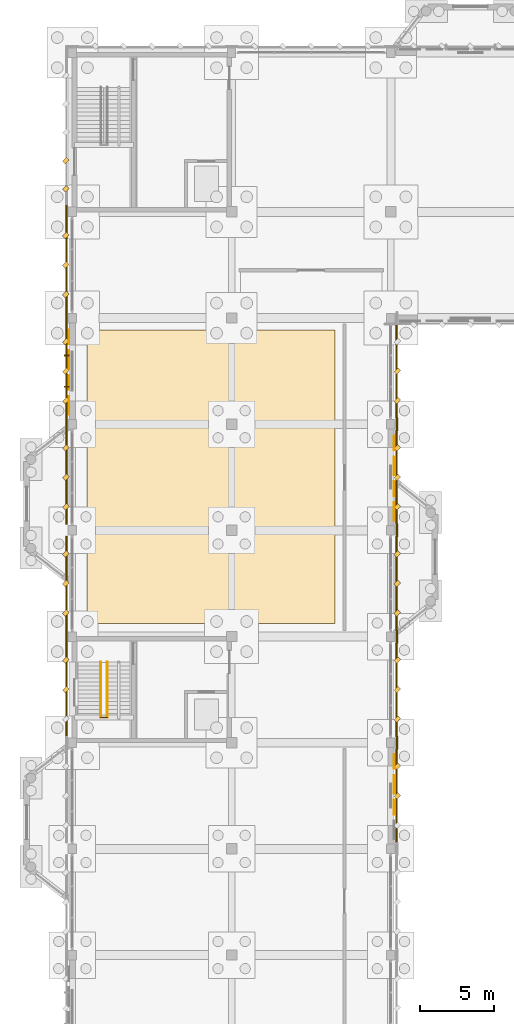
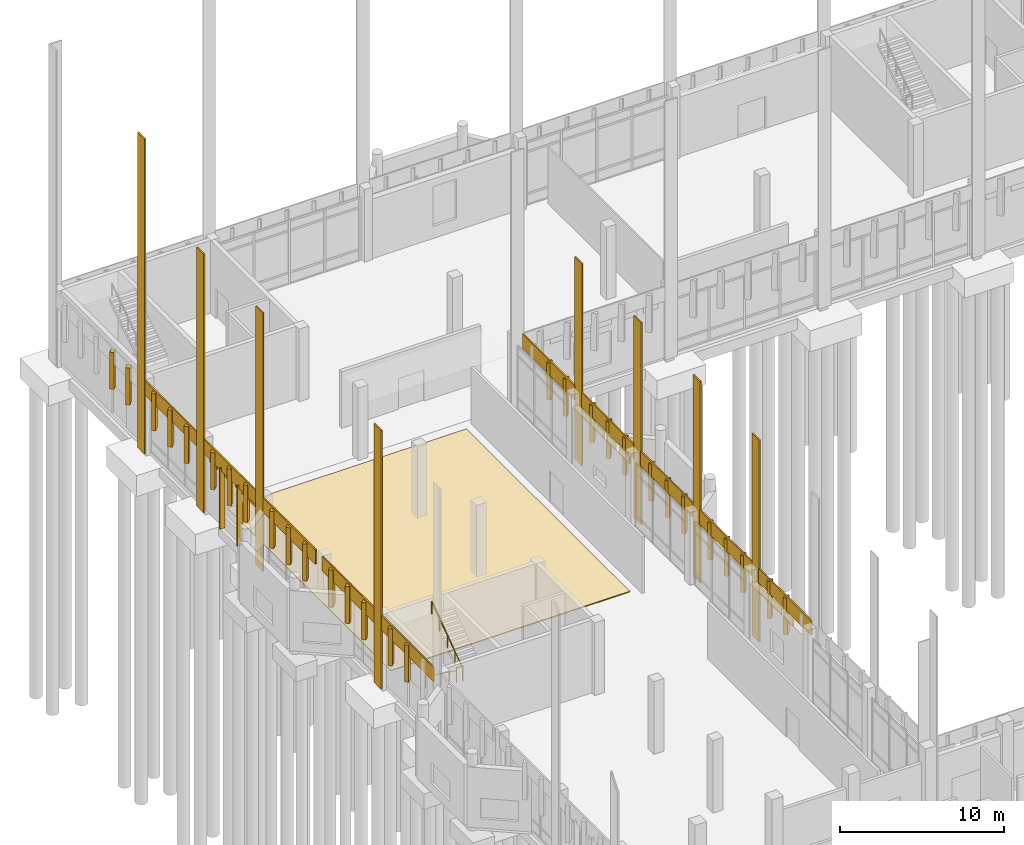
# One storey, part 100 of 109: 61 coverings, 3 railings.
"""IFC4 building model written with IfcOpenShell, lengths in metres."""

from ifc_helpers import new_model, si_unit, direction, frame, origin, origin_2d, place, context, subcontext, project, spatial, polyline, rectangle, circle, outline, extrude, material, layer, layer_set, type_object, element, save


model = new_model("IFC4")

# Units and contexts
model_context = context("Model", 3, precision=1e-05, world=origin(), true_north=direction((0.0, 1.0)))
body_context = subcontext(model_context, "Body", "Model", "MODEL_VIEW")
ifc_project = project(units=[si_unit("LENGTHUNIT", "METRE"), si_unit("AREAUNIT", "SQUARE_METRE"), si_unit("VOLUMEUNIT", "CUBIC_METRE"), si_unit("PLANEANGLEUNIT", "RADIAN"), si_unit("MASSUNIT", "GRAM", prefix="KILO")], contexts=[model_context])

# Site, building, storey
site_placement = place(None, origin())
site = spatial("IfcSite", under=ifc_project, at=site_placement, CompositionType="ELEMENT")
building_placement = place(site_placement, origin())
building = spatial("IfcBuilding", under=site, at=building_placement, Name="Lusvemor Sports Hall", CompositionType="ELEMENT")
storey_placement = place(building_placement, origin())
storey = spatial("IfcBuildingStorey", under=building, at=storey_placement, Name="L00", CompositionType="ELEMENT", Elevation=0.0)

# Coverings
ifc_material_1 = material(Name="Precast granite-faced Concrete C40/50 architectural cladding", Category="masonry")
ifc_layer_1 = layer(ifc_material_1, 0.055908203125)
ifc_layer_set_1 = layer_set([ifc_layer_1], Name="Precast granite-faced Concrete C40/50 architectural cladding")
covering_type_1 = type_object("IfcCoveringType", Name="CLAD_RELIEF_FRIEZE", PredefinedType="CLADDING", material=ifc_layer_set_1)
for number, where, z_axis, x_axis, name in (
    (1, (-0.409912109375, 75.60009765625, 0.0), (0.0, 0.0, 1.0), (1.0, 0.0, 0.0), "Art Nouveau Pilaster Cladding Casing 982"),
    (2, (-0.409912109375, 90.0, 0.0), (0.0, 0.0, 1.0), (1.0, 0.0, 0.0), "Art Nouveau Pilaster Cladding Casing 983"),
    (3, (-0.409912109375, 97.199951171875, 0.0), (0.0, 0.0, 1.0), (1.0, 0.0, 0.0), "Art Nouveau Pilaster Cladding Casing 984"),
):
    element("IfcCovering", number, at=place(storey_placement, frame(where, z_axis=z_axis, x_axis=x_axis)), inside=storey, type_object=covering_type_1, Name=name, PredefinedType="CLADDING", context=body_context, shape_type="SweptSolid", body=[
        extrude(rectangle(XDim=0.10009765625, YDim=0.8798828125, at=origin_2d()), origin(), (0.0, 0.0, 1.0), 19.199951171875),
    ])
covering_1_placement = place(storey_placement, frame((-0.409912109375, 104.39990234375, 0.0), z_axis=(0.0, 0.0, 1.0), x_axis=(1.0, 0.0, 0.0)))
element("IfcCovering", 4, at=covering_1_placement, inside=storey, type_object=covering_type_1, Name="Art Nouveau Pilaster Cladding Casing 1098", PredefinedType="CLADDING", context=body_context, shape_type="SweptSolid", body=[
    extrude(rectangle(XDim=0.10009765625, YDim=0.8798828125, at=origin_2d()), origin(), (0.0, 0.0, 1.0), 23.39990234375),
])
for number, where, z_axis, x_axis, name in (
    (5, (22.010009765625, 68.39990234375, 0.0), (0.0, 0.0, 1.0), (1.0, 0.0, 0.0), "Art Nouveau Pilaster Cladding Casing 1382"),
    (6, (22.010009765625, 75.60009765625, 0.0), (0.0, 0.0, 1.0), (1.0, 0.0, 0.0), "Art Nouveau Pilaster Cladding Casing 1383"),
    (7, (22.010009765625, 82.800048828125, 0.0), (0.0, 0.0, 1.0), (1.0, 0.0, 0.0), "Art Nouveau Pilaster Cladding Casing 1384"),
    (8, (22.010009765625, 90.0, 0.0), (0.0, 0.0, 1.0), (1.0, 0.0, 0.0), "Art Nouveau Pilaster Cladding Casing 1385"),
):
    element("IfcCovering", number, at=place(storey_placement, frame(where, z_axis=z_axis, x_axis=x_axis)), inside=storey, type_object=covering_type_1, Name=name, PredefinedType="CLADDING", context=body_context, shape_type="SweptSolid", body=[
        extrude(rectangle(XDim=0.10009765625, YDim=0.8798828125, at=origin_2d()), origin(), (0.0, 0.0, 1.0), 15.0),
    ])
ifc_material_2 = material(Name="Emerald polychrome glazed ceramic cladding on Concrete C40/50 backing", Category="concrete")
ifc_layer_2 = layer(ifc_material_2, 0.0458984375)
ifc_layer_set_2 = layer_set([ifc_layer_2], Name="Emerald polychrome glazed ceramic cladding on Concrete C40/50 backing")
covering_type_2 = type_object("IfcCoveringType", Name="CLAD_WAVE_EMERALD", PredefinedType="CLADDING", material=ifc_layer_set_2)
for number, where, z_axis, x_axis, name in (
    (9, (-0.218017578125, 91.27490234375, 3.9248046875), (0.0, 0.0, 1.0), (1.0, 0.0, 0.0), "Art Nouveau Patterned Cladding PS-EW-L00-W-0-6-1"),
    (10, (-0.218017578125, 94.375, 3.9248046875), (0.0, 0.0, 1.0), (1.0, 0.0, 0.0), "Art Nouveau Patterned Cladding PS-EW-L00-W-0-6-3"),
    (11, (21.818115234375, 65.574951171875, 3.9248046875), (0.0, 0.0, 1.0), (1.0, 0.0, 0.0), "Art Nouveau Patterned Cladding PS-EW-L00-E-4-2-3"),
    (12, (21.818115234375, 84.074951171875, 3.9248046875), (0.0, 0.0, 1.0), (1.0, 0.0, 0.0), "Art Nouveau Patterned Cladding PS-EW-L00-E-4-5-1"),
    (13, (21.818115234375, 87.175048828125, 3.9248046875), (0.0, 0.0, 1.0), (1.0, 0.0, 0.0), "Art Nouveau Patterned Cladding PS-EW-L00-E-4-5-3"),
):
    element("IfcCovering", number, at=place(storey_placement, frame(where, z_axis=z_axis, x_axis=x_axis)), inside=storey, type_object=covering_type_2, Name=name, PredefinedType="CLADDING", context=body_context, shape_type="SweptSolid", body=[
        extrude(rectangle(XDim=0.0458984375, YDim=1.27099609375, at=origin_2d()), origin(), (0.0, 0.0, 1.0), 0.510009765625),
    ])
for number, where, z_axis, x_axis, name in (
    (14, (-0.43994140625, 72.0, 2.550048828125), (0.0, 0.0, 1.0), (0.707106781187, 0.707106781187, 0.0), "Patterned Diamond Cladding Rib 1035"),
    (15, (-0.43994140625, 79.199951171875, 2.550048828125), (0.0, 0.0, 1.0), (0.707106781187, 0.707106781187, 0.0), "Patterned Diamond Cladding Rib 1051"),
    (16, (-0.43994140625, 86.39990234375, 2.550048828125), (0.0, 0.0, 1.0), (0.707106781187, 0.707106781187, 0.0), "Patterned Diamond Cladding Rib 1067"),
    (17, (-0.43994140625, 93.60009765625, 2.550048828125), (0.0, 0.0, 1.0), (0.707106781187, 0.707106781187, 0.0), "Patterned Diamond Cladding Rib 1083"),
    (18, (-0.43994140625, 100.800048828125, 2.550048828125), (0.0, 0.0, 1.0), (0.707106781187, 0.707106781187, 0.0), "Patterned Diamond Cladding Rib 1102"),
    (19, (-0.43994140625, 107.8798828125, 2.550048828125), (0.0, 0.0, 1.0), (0.707106781187, 0.707106781187, 0.0), "Patterned Diamond Cladding Rib 1122"),
    (20, (22.0400390625, 64.800048828125, 2.550048828125), (0.0, 0.0, 1.0), (0.707106781187, 0.707106781187, 0.0), "Patterned Diamond Cladding Rib 1413"),
    (21, (22.0400390625, 72.0, 2.550048828125), (0.0, 0.0, 1.0), (0.707106781187, 0.707106781187, 0.0), "Patterned Diamond Cladding Rib 1425"),
    (22, (22.0400390625, 79.199951171875, 2.550048828125), (0.0, 0.0, 1.0), (0.707106781187, 0.707106781187, 0.0), "Patterned Diamond Cladding Rib 1437"),
    (23, (22.0400390625, 86.39990234375, 2.550048828125), (0.0, 0.0, 1.0), (0.707106781187, 0.707106781187, 0.0), "Patterned Diamond Cladding Rib 1449"),
    (24, (22.0400390625, 93.60009765625, 2.550048828125), (0.0, 0.0, 1.0), (0.707106781187, 0.707106781187, 0.0), "Patterned Diamond Cladding Rib 1461"),
):
    element("IfcCovering", number, at=place(storey_placement, frame(where, z_axis=z_axis, x_axis=x_axis)), inside=storey, type_object=covering_type_2, Name=name, PredefinedType="CLADDING", context=body_context, shape_type="SweptSolid", body=[
        extrude(rectangle(XDim=0.3798828125, YDim=0.280029296875, at=origin_2d()), origin(), (0.0, 0.0, 1.0), 2.75),
    ])
ifc_material_3 = material(Name="Warm terracotta Art Nouveau ceramic cladding on Concrete C40/50 backing", Category="masonry")
ifc_layer_3 = layer(ifc_material_3, 0.0380859375)
ifc_layer_set_3 = layer_set([ifc_layer_3], Name="Warm terracotta Art Nouveau ceramic cladding on Concrete C40/50 backing")
covering_type_3 = type_object("IfcCoveringType", Name="CLAD_WAVE_OCHRE", PredefinedType="CLADDING", material=ifc_layer_set_3)
for number, where, z_axis, x_axis, name in (
    (25, (-0.214111328125, 92.824951171875, 3.9248046875), (0.0, 0.0, 1.0), (1.0, 0.0, 0.0), "Art Nouveau Patterned Cladding PS-EW-L00-W-0-6-2"),
    (26, (-0.214111328125, 95.925048828125, 3.9248046875), (0.0, 0.0, 1.0), (1.0, 0.0, 0.0), "Art Nouveau Patterned Cladding PS-EW-L00-W-0-6-4"),
    (27, (21.81396484375, 64.02490234375, 3.9248046875), (0.0, 0.0, 1.0), (1.0, 0.0, 0.0), "Art Nouveau Patterned Cladding PS-EW-L00-E-4-2-2"),
    (28, (21.81396484375, 67.125, 3.9248046875), (0.0, 0.0, 1.0), (1.0, 0.0, 0.0), "Art Nouveau Patterned Cladding PS-EW-L00-E-4-2-4"),
    (29, (21.81396484375, 85.625, 3.9248046875), (0.0, 0.0, 1.0), (1.0, 0.0, 0.0), "Art Nouveau Patterned Cladding PS-EW-L00-E-4-5-2"),
    (30, (21.81396484375, 88.72509765625, 3.9248046875), (0.0, 0.0, 1.0), (1.0, 0.0, 0.0), "Art Nouveau Patterned Cladding PS-EW-L00-E-4-5-4"),
):
    element("IfcCovering", number, at=place(storey_placement, frame(where, z_axis=z_axis, x_axis=x_axis)), inside=storey, type_object=covering_type_3, Name=name, PredefinedType="CLADDING", context=body_context, shape_type="SweptSolid", body=[
        extrude(rectangle(XDim=0.0380859375, YDim=0.991943359375, at=origin_2d()), origin(), (0.0, 0.0, 1.0), 0.510009765625),
    ])
for number, where, z_axis, x_axis, name in (
    (31, (-0.389892578125, 72.0, 4.3798828125), (0.0, 0.0, 1.0), (1.0, 0.0, 0.0), "Art Nouveau Spandrel Cornice 1033"),
    (32, (-0.389892578125, 79.199951171875, 4.3798828125), (0.0, 0.0, 1.0), (1.0, 0.0, 0.0), "Art Nouveau Spandrel Cornice 1049"),
    (33, (-0.389892578125, 86.39990234375, 4.3798828125), (0.0, 0.0, 1.0), (1.0, 0.0, 0.0), "Art Nouveau Spandrel Cornice 1065"),
    (34, (-0.389892578125, 93.60009765625, 4.3798828125), (0.0, 0.0, 1.0), (1.0, 0.0, 0.0), "Art Nouveau Spandrel Cornice 1081"),
    (35, (-0.389892578125, 100.800048828125, 4.3798828125), (0.0, 0.0, 1.0), (1.0, 0.0, 0.0), "Art Nouveau Spandrel Cornice 1100"),
    (36, (21.989990234375, 64.800048828125, 4.3798828125), (0.0, 0.0, 1.0), (1.0, 0.0, 0.0), "Art Nouveau Spandrel Cornice 1411"),
    (37, (21.989990234375, 72.0, 4.3798828125), (0.0, 0.0, 1.0), (1.0, 0.0, 0.0), "Art Nouveau Spandrel Cornice 1423"),
    (38, (21.989990234375, 79.199951171875, 4.3798828125), (0.0, 0.0, 1.0), (1.0, 0.0, 0.0), "Art Nouveau Spandrel Cornice 1435"),
    (39, (21.989990234375, 86.39990234375, 4.3798828125), (0.0, 0.0, 1.0), (1.0, 0.0, 0.0), "Art Nouveau Spandrel Cornice 1447"),
    (40, (21.989990234375, 93.60009765625, 4.3798828125), (0.0, 0.0, 1.0), (1.0, 0.0, 0.0), "Art Nouveau Spandrel Cornice 1459"),
):
    element("IfcCovering", number, at=place(storey_placement, frame(where, z_axis=z_axis, x_axis=x_axis)), inside=storey, type_object=covering_type_3, Name=name, PredefinedType="CLADDING", context=body_context, shape_type="SweptSolid", body=[
        extrude(rectangle(XDim=0.090087890625, YDim=6.3798828125, at=origin_2d()), origin(), (0.0, 0.0, 1.0), 1.080078125),
    ])
ifc_material_4 = material(Name="FIBA-grade sprung maple sports flooring")
ifc_layer_4 = layer(ifc_material_4, 0.06591796875)
ifc_layer_set_4 = layer_set([ifc_layer_4], Name="FIBA-grade sprung maple sports flooring")
covering_type_4 = type_object("IfcCoveringType", Name="COV_SPRUNG_MAPLE", PredefinedType="FLOORING", material=ifc_layer_set_4)
covering_2_placement = place(storey_placement, origin())
element("IfcCovering", 41, at=covering_2_placement, inside=storey, type_object=covering_type_4, Name="Sprung Maple Flooring COV-MAPLE-DANCE1", PredefinedType="FLOORING", context=body_context, shape_type="SweptSolid", body=[
    extrude(outline(polyline([(1.0, 76.5), (17.800048828125, 76.5), (17.800048828125, 96.39990234375), (1.0, 96.39990234375), (1.0, 76.5)])), origin(), (0.0, 0.0, 1.0), 0.06591796875),
])
ifc_material_5 = material(Name="Emerald polychrome glazed ceramic cladding on Concrete C40/50 backing", Category="concrete")
ifc_layer_5 = layer(ifc_material_5, 0.35009765625)
ifc_layer_set_5 = layer_set([ifc_layer_5], Name="Emerald polychrome glazed ceramic cladding on Concrete C40/50 backing")
covering_type_5 = type_object("IfcCoveringType", Name="FIN_BRISE_CER_350", PredefinedType="MOLDING", material=ifc_layer_set_5)
for number, where, z_axis, x_axis, name in (
    (42, (-0.3798828125, 92.5400390625, 0.10009765625), (0.0, 0.0, 1.0), (1.0, 0.0, 0.0), "Wing Brise-Soleil Fin L00-W-0-6-1"),
    (43, (-0.3798828125, 94.659912109375, 0.10009765625), (0.0, 0.0, 1.0), (1.0, 0.0, 0.0), "Wing Brise-Soleil Fin L00-W-0-6-2"),
):
    element("IfcCovering", number, at=place(storey_placement, frame(where, z_axis=z_axis, x_axis=x_axis)), inside=storey, type_object=covering_type_5, Name=name, PredefinedType="MOLDING", context=body_context, shape_type="SweptSolid", body=[
        extrude(rectangle(XDim=0.35009765625, YDim=0.080078125, at=origin_2d()), origin(), (0.0, 0.0, 1.0), 4.52001953125),
    ])
ifc_material_6 = material(Name="Warm terracotta Art Nouveau ceramic cladding on Concrete C40/50 backing", Category="masonry")
ifc_layer_6 = layer(ifc_material_6, 0.449951171875)
ifc_layer_set_6 = layer_set([ifc_layer_6], Name="Warm terracotta Art Nouveau ceramic cladding on Concrete C40/50 backing")
covering_type_6 = type_object("IfcCoveringType", Name="FIN_BRISE_CER_450", PredefinedType="MOLDING", material=ifc_layer_set_6)
for number, where, z_axis, x_axis, name in (
    (44, (-0.43994140625, 74.0, 2.550048828125), (0.0, 0.0, 1.0), (0.707106781187, 0.707106781187, 0.0), "Patterned Diamond Cladding Rib 1036"),
    (45, (-0.43994140625, 77.199951171875, 2.550048828125), (0.0, 0.0, 1.0), (0.707106781187, 0.707106781187, 0.0), "Patterned Diamond Cladding Rib 1050"),
    (46, (-0.43994140625, 81.199951171875, 2.550048828125), (0.0, 0.0, 1.0), (0.707106781187, 0.707106781187, 0.0), "Patterned Diamond Cladding Rib 1052"),
    (47, (-0.43994140625, 84.39990234375, 2.550048828125), (0.0, 0.0, 1.0), (0.707106781187, 0.707106781187, 0.0), "Patterned Diamond Cladding Rib 1066"),
    (48, (-0.43994140625, 88.39990234375, 2.550048828125), (0.0, 0.0, 1.0), (0.707106781187, 0.707106781187, 0.0), "Patterned Diamond Cladding Rib 1068"),
    (49, (-0.43994140625, 91.60009765625, 2.550048828125), (0.0, 0.0, 1.0), (0.707106781187, 0.707106781187, 0.0), "Patterned Diamond Cladding Rib 1082"),
    (50, (-0.43994140625, 95.60009765625, 2.550048828125), (0.0, 0.0, 1.0), (0.707106781187, 0.707106781187, 0.0), "Patterned Diamond Cladding Rib 1084"),
    (51, (-0.43994140625, 98.800048828125, 2.550048828125), (0.0, 0.0, 1.0), (0.707106781187, 0.707106781187, 0.0), "Patterned Diamond Cladding Rib 1101"),
    (52, (-0.43994140625, 102.800048828125, 2.550048828125), (0.0, 0.0, 1.0), (0.707106781187, 0.707106781187, 0.0), "Patterned Diamond Cladding Rib 1103"),
    (53, (-0.43994140625, 105.9599609375, 2.550048828125), (0.0, 0.0, 1.0), (0.707106781187, 0.707106781187, 0.0), "Patterned Diamond Cladding Rib 1121"),
    (54, (22.0400390625, 66.800048828125, 2.550048828125), (0.0, 0.0, 1.0), (0.707106781187, 0.707106781187, 0.0), "Patterned Diamond Cladding Rib 1414"),
    (55, (22.0400390625, 70.0, 2.550048828125), (0.0, 0.0, 1.0), (0.707106781187, 0.707106781187, 0.0), "Patterned Diamond Cladding Rib 1424"),
    (56, (22.0400390625, 74.0, 2.550048828125), (0.0, 0.0, 1.0), (0.707106781187, 0.707106781187, 0.0), "Patterned Diamond Cladding Rib 1426"),
    (57, (22.0400390625, 77.199951171875, 2.550048828125), (0.0, 0.0, 1.0), (0.707106781187, 0.707106781187, 0.0), "Patterned Diamond Cladding Rib 1436"),
    (58, (22.0400390625, 81.199951171875, 2.550048828125), (0.0, 0.0, 1.0), (0.707106781187, 0.707106781187, 0.0), "Patterned Diamond Cladding Rib 1438"),
    (59, (22.0400390625, 84.39990234375, 2.550048828125), (0.0, 0.0, 1.0), (0.707106781187, 0.707106781187, 0.0), "Patterned Diamond Cladding Rib 1448"),
    (60, (22.0400390625, 88.39990234375, 2.550048828125), (0.0, 0.0, 1.0), (0.707106781187, 0.707106781187, 0.0), "Patterned Diamond Cladding Rib 1450"),
    (61, (22.0400390625, 91.60009765625, 2.550048828125), (0.0, 0.0, 1.0), (0.707106781187, 0.707106781187, 0.0), "Patterned Diamond Cladding Rib 1460"),
):
    element("IfcCovering", number, at=place(storey_placement, frame(where, z_axis=z_axis, x_axis=x_axis)), inside=storey, type_object=covering_type_6, Name=name, PredefinedType="MOLDING", context=body_context, shape_type="SweptSolid", body=[
        extrude(rectangle(XDim=0.3798828125, YDim=0.280029296875, at=origin_2d()), origin(), (0.0, 0.0, 1.0), 2.75),
    ])

# Railings
ifc_material_7 = material(Name="Bronze-finished wrought-steel Art Nouveau balustrade", Category="steel")
railing_type_1 = type_object("IfcRailingType", Name="RAIL_HANDRAIL_092", PredefinedType="HANDRAIL", material=ifc_material_7)
railing_1_placement = place(storey_placement, frame((1.929931640625, 73.8798828125, 0.0)))
element("IfcRailing", 62, at=railing_1_placement, inside=storey, type_object=railing_type_1, Name="Stair STR-C3-L00 Handrail F1", PredefinedType="HANDRAIL", context=body_context, shape_type="SweptSolid", body=[
    extrude(circle(Radius=0.02392578125, at=origin_2d()), frame((0.0, 0.0, 0.89599609375), z_axis=(0.0, -0.813722817161, 0.581253109094), x_axis=(1.0, 0.0, 0.0)), (0.0, 0.0, 1.0), 4.64501953125),
    extrude(circle(Radius=0.02099609375, at=origin_2d()), origin(), (0.0, 0.0, 1.0), 0.871826171875),
    extrude(circle(Radius=0.02099609375, at=origin_2d()), frame((0.0, -0.94482421875, 0.675048828125)), (0.0, 0.0, 1.0), 0.871826171875),
    extrude(circle(Radius=0.02099609375, at=origin_2d()), frame((0.0, -1.889892578125, 1.35009765625)), (0.0, 0.0, 1.0), 0.871826171875),
    extrude(circle(Radius=0.02099609375, at=origin_2d()), frame((0.0, -2.8349609375, 2.02490234375)), (0.0, 0.0, 1.0), 0.871826171875),
    extrude(circle(Radius=0.02099609375, at=origin_2d()), frame((0.0, -3.77978515625, 2.699951171875)), (0.0, 0.0, 1.0), 0.871826171875),
])
railing_2_placement = place(storey_placement, frame((2.3701171875, 70.10009765625, 2.699951171875)))
element("IfcRailing", 63, at=railing_2_placement, inside=storey, type_object=railing_type_1, Name="Stair STR-C3-L00 Handrail F2", PredefinedType="HANDRAIL", context=body_context, shape_type="SweptSolid", body=[
    extrude(circle(Radius=0.02392578125, at=origin_2d()), frame((0.0, 0.0, 0.89599609375), z_axis=(0.0, 0.813722817161, 0.581253109094), x_axis=(-1.0, 0.0, 0.0)), (0.0, 0.0, 1.0), 4.64501953125),
    extrude(circle(Radius=0.02099609375, at=origin_2d()), origin(), (0.0, 0.0, 1.0), 0.871826171875),
    extrude(circle(Radius=0.02099609375, at=origin_2d()), frame((0.0, 0.94482421875, 0.675048828125)), (0.0, 0.0, 1.0), 0.871826171875),
    extrude(circle(Radius=0.02099609375, at=origin_2d()), frame((0.0, 1.889892578125, 1.35009765625)), (0.0, 0.0, 1.0), 0.871826171875),
    extrude(circle(Radius=0.02099609375, at=origin_2d()), frame((0.0, 2.8349609375, 2.02490234375)), (0.0, 0.0, 1.0), 0.871826171875),
    extrude(circle(Radius=0.02099609375, at=origin_2d()), frame((0.0, 3.77978515625, 2.699951171875)), (0.0, 0.0, 1.0), 0.871826171875),
])
ifc_material_8 = material(Name="Bronze-finished wrought-steel Art Nouveau balustrade", Category="steel")
railing_type_2 = type_object("IfcRailingType", Name="RAIL_STAIR_GUARD_112", PredefinedType="GUARDRAIL", material=ifc_material_8)
railing_3_placement = place(storey_placement, frame((1.929931640625, 70.1201171875, 2.699951171875)))
element("IfcRailing", 64, at=railing_3_placement, inside=storey, type_object=railing_type_2, Name="Stair STR-C3-L00 Mid Well Guard", PredefinedType="GUARDRAIL", context=body_context, shape_type="SweptSolid", body=[
    extrude(circle(Radius=0.02392578125, at=origin_2d()), frame((0.0, 0.0, 1.09619140625), z_axis=(1.0, 0.0, 0.0), x_axis=(0.0, 1.0, 0.0)), (0.0, 0.0, 1.0), 0.440185546875),
    extrude(circle(Radius=0.02099609375, at=origin_2d()), origin(), (0.0, 0.0, 1.0), 1.072021484375),
    extrude(circle(Radius=0.02099609375, at=origin_2d()), frame((0.440185546875, 0.0, 0.0)), (0.0, 0.0, 1.0), 1.072021484375),
])

save(model, "model.ifc")
